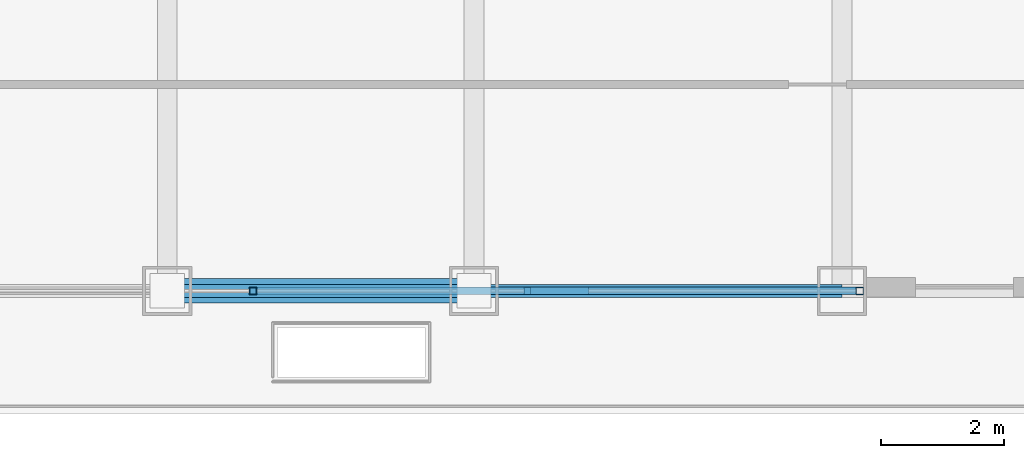
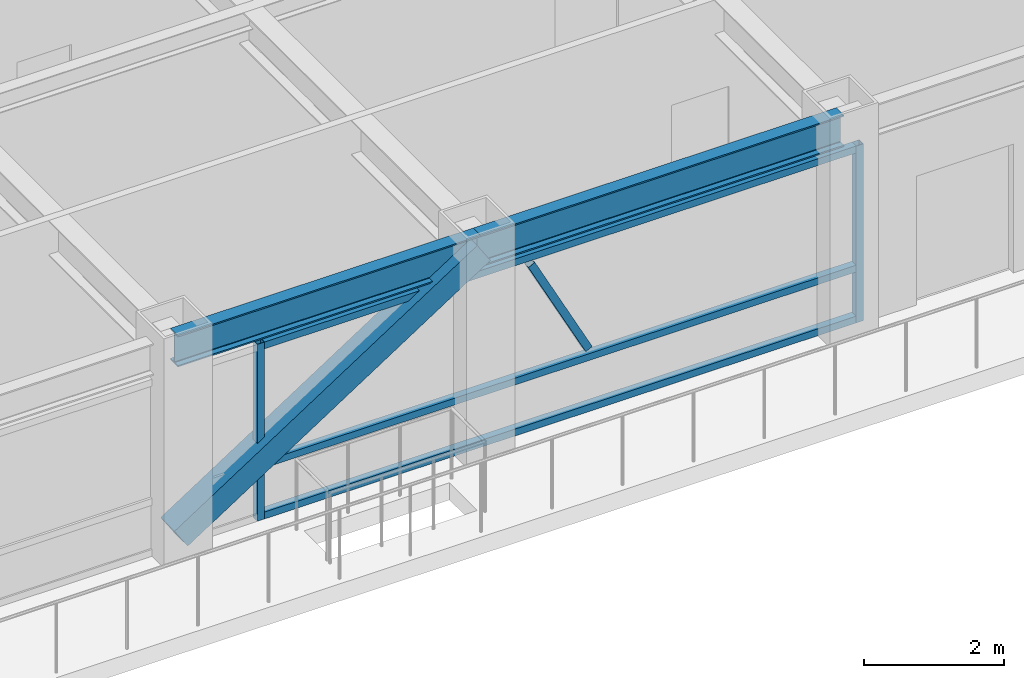
# One storey, part 4 of 30: 7 members, 2 beams, 1 element without a shape of its own.
"""IFC4 building model written with IfcOpenShell, lengths in metres."""

from ifc_helpers import new_model, si_unit, direction, frame, origin, origin_2d, place, context, subcontext, project, spatial, hollow_rectangle, i_section, extrude, source, transform, mapped, material, material_profile, profile_set, type_object, element, aggregate, save


model = new_model("IFC4")

# Units and contexts
model_context = context("Model", 3, precision=1e-05, world=origin(), true_north=direction((0.0, 1.0)))
body_context = subcontext(model_context, "Body", "Model", "MODEL_VIEW")
ifc_project = project(units=[si_unit("LENGTHUNIT", "METRE"), si_unit("AREAUNIT", "SQUARE_METRE"), si_unit("VOLUMEUNIT", "CUBIC_METRE"), si_unit("PLANEANGLEUNIT", "RADIAN"), si_unit("MASSUNIT", "GRAM", prefix="KILO")], contexts=[model_context])

# Site, building, storey
site_placement = place(None, origin())
site = spatial("IfcSite", under=ifc_project, at=site_placement, CompositionType="ELEMENT")
building_placement = place(site_placement, origin())
building = spatial("IfcBuilding", under=site, at=building_placement, Name="Khorayat Bourse Tower", CompositionType="ELEMENT")
storey_placement = place(building_placement, frame((0.0, 0.0, 326.300048828125)))
storey = spatial("IfcBuildingStorey", under=building, at=storey_placement, Name="L77", CompositionType="ELEMENT", Elevation=326.300048828125)

# Beams
ifc_material_1 = material(Name="Steel ASTM A992 Grade 50", Category="steel")
ifc_material_profile_1 = material_profile(ifc_material_1, i_section(OverallWidth=0.214111328125, OverallDepth=0.549072265625, WebThickness=0.0146484375, FlangeThickness=0.023681640625, FilletRadius=0.013916015625, at=origin_2d()), Name="W530X138")
ifc_profile_set_1 = profile_set([ifc_material_profile_1], Name="Steel ASTM A992 Grade 50")
beam_type = type_object("IfcBeamType", Name="BM-SPAN-530", PredefinedType="SPANDREL", material=ifc_profile_set_1)
shared_shape_1 = source(origin(), body_context, "Body", "SweptSolid", [
    extrude(i_section(OverallWidth=0.214111328125, OverallDepth=0.549072265625, WebThickness=0.0146484375, FlangeThickness=0.023681640625, FilletRadius=0.013916015625, at=origin_2d()), origin(), (0.0, 0.0, 1.0), 5.0),
])
beam_1_placement = place(storey_placement, frame((-11.0, -26.0, 3.46533203125), z_axis=(1.0, 0.0, 0.0), x_axis=(0.0, 1.0, 0.0)))
element("IfcBeam", 1, at=beam_1_placement, inside=storey, type_object=beam_type, Name="L77 BM-SPAN-530 BM-L77-SPN-025", PredefinedType="SPANDREL", context=body_context, shape_type="MappedRepresentation", body=[
    mapped(shared_shape_1, transform((0.0, 0.0, 0.0), scale=1.0)),
])
shared_shape_2 = source(origin(), body_context, "Body", "SweptSolid", [
    extrude(i_section(OverallWidth=0.214111328125, OverallDepth=0.549072265625, WebThickness=0.0146484375, FlangeThickness=0.023681640625, FilletRadius=0.013916015625, at=origin_2d()), origin(), (0.0, 0.0, 1.0), 6.0),
])
beam_2_placement = place(storey_placement, frame((-6.0, -26.0, 3.46533203125), z_axis=(1.0, 0.0, 0.0), x_axis=(0.0, 1.0, 0.0)))
element("IfcBeam", 2, at=beam_2_placement, inside=storey, type_object=beam_type, Name="L77 BM-SPAN-530 BM-L77-SPN-026", PredefinedType="SPANDREL", context=body_context, shape_type="MappedRepresentation", body=[
    mapped(shared_shape_2, transform((0.0, 0.0, 0.0), scale=1.0)),
])

# Member
ifc_material_2 = material(Name="Steel EN 10025-4 S460M", Category="steel")
ifc_material_profile_2 = material_profile(ifc_material_2, hollow_rectangle(XDim=0.39990234375, YDim=0.39990234375, WallThickness=0.02197265625, at=origin_2d()), Name="HSS 400x400x22")
ifc_profile_set_2 = profile_set([ifc_material_profile_2], Name="Steel EN 10025-4 S460M")
member_type_1 = type_object("IfcMemberType", Name="MBR-TUBE-400", PredefinedType="BRACE", material=ifc_profile_set_2)
shared_shape_3 = source(origin(), body_context, "Body", "SweptSolid", [
    extrude(hollow_rectangle(XDim=0.39990234375, YDim=0.39990234375, WallThickness=0.02197265625, at=origin_2d()), origin(), (0.0, 0.0, 1.0), 5.9580078125),
])
member_1_placement = place(storey_placement, frame((-11.0, -26.0, 0.25), z_axis=(0.839210474455, 0.0, 0.543806748364), x_axis=(0.0, 1.0, 0.0)))
element("IfcMember", 3, at=member_1_placement, inside=storey, type_object=member_type_1, Name="L77 Perimeter Tube Brace 01", PredefinedType="BRACE", context=body_context, shape_type="MappedRepresentation", body=[
    mapped(shared_shape_3, transform((0.0, 0.0, 0.0), scale=1.0)),
])

# Curtain wall, members
ifc_material_3 = material(Name="Aluminium EN AW-6063 T6", Category="aluminium")
curtain_wall_type = type_object("IfcCurtainWallType", Name="CW-SYS-04", PredefinedType="NOTDEFINED", material=ifc_material_3)
curtain_wall_placement = place(storey_placement, origin())
curtain_wall = element("IfcCurtainWall", 4, at=curtain_wall_placement, inside=storey, type_object=curtain_wall_type, Name="L77 Curtain Wall CW-L77-S1", PredefinedType="NOTDEFINED")
ifc_material_profile_3 = material_profile(ifc_material_3, hollow_rectangle(XDim=0.1201171875, YDim=0.1201171875, WallThickness=0.0048828125, at=origin_2d()), Name="ALU 120x120x5")
ifc_profile_set_3 = profile_set([ifc_material_profile_3], Name="Aluminium EN AW-6063 T6")
member_type_2 = type_object("IfcMemberType", Name="CWM-VERT-120", PredefinedType="MULLION", material=ifc_profile_set_3)
shared_shape_4 = source(origin(), body_context, "Body", "SweptSolid", [
    extrude(hollow_rectangle(XDim=0.1201171875, YDim=0.1201171875, WallThickness=0.0048828125, at=origin_2d()), origin(), (0.0, 0.0, 1.0), 3.08984375),
])
member_2_placement = place(storey_placement, frame((-9.60009765625, -26.0, 0.0), z_axis=(0.0, 0.0, 1.0), x_axis=(0.0, 1.0, 0.0)))
member_2 = element("IfcMember", 5, at=member_2_placement, type_object=member_type_2, Name="CW-L77-S1 Vertical Mullion 2", PredefinedType="MULLION", context=body_context, shape_type="MappedRepresentation", body=[
    mapped(shared_shape_4, transform((0.0, 0.0, 0.0), scale=1.0)),
])
member_3_placement = place(storey_placement, frame((0.2900390625, -26.0, 0.0), z_axis=(0.0, 0.0, 1.0), x_axis=(0.0, 1.0, 0.0)))
member_3 = element("IfcMember", 6, at=member_3_placement, type_object=member_type_2, Name="CW-L77-S1 Vertical Mullion 3", PredefinedType="MULLION", context=body_context, shape_type="MappedRepresentation", body=[
    mapped(shared_shape_4, transform((0.0, 0.0, 0.0), scale=1.0)),
])
ifc_material_profile_4 = material_profile(ifc_material_3, hollow_rectangle(XDim=0.1201171875, YDim=0.1201171875, WallThickness=0.0048828125, at=origin_2d()), Name="ALU 120x120x5")
ifc_profile_set_4 = profile_set([ifc_material_profile_4], Name="Aluminium EN AW-6063 T6")
member_type_3 = type_object("IfcMemberType", Name="CWT-HORZ-120", PredefinedType="USERDEFINED", material=ifc_profile_set_4)
shared_shape_5 = source(origin(), body_context, "Body", "SweptSolid", [
    extrude(hollow_rectangle(XDim=0.1201171875, YDim=0.1201171875, WallThickness=0.0048828125, at=origin_2d()), origin(), (0.0, 0.0, 1.0), 9.77001953125),
])
member_4_placement = place(storey_placement, frame((-9.5400390625, -26.0, 0.06005859375), z_axis=(1.0, 0.0, 0.0), x_axis=(0.0, 1.0, 0.0)))
member_4 = element("IfcMember", 7, at=member_4_placement, type_object=member_type_3, Name="CW-L77-S1 Horizontal Transom 2-1", ObjectType="TRANSOM", PredefinedType="USERDEFINED", context=body_context, shape_type="MappedRepresentation", body=[
    mapped(shared_shape_5, transform((0.0, 0.0, 0.0), scale=1.0)),
])
member_5_placement = place(storey_placement, frame((-9.5400390625, -26.0, 0.949951171875), z_axis=(1.0, 0.0, 0.0), x_axis=(0.0, 1.0, 0.0)))
member_5 = element("IfcMember", 8, at=member_5_placement, type_object=member_type_3, Name="CW-L77-S1 Horizontal Transom 2-2", ObjectType="TRANSOM", PredefinedType="USERDEFINED", context=body_context, shape_type="MappedRepresentation", body=[
    mapped(shared_shape_5, transform((0.0, 0.0, 0.0), scale=1.0)),
])
member_6_placement = place(storey_placement, frame((-9.5400390625, -26.0, 3.030029296875), z_axis=(1.0, 0.0, 0.0), x_axis=(0.0, 1.0, 0.0)))
member_6 = element("IfcMember", 9, at=member_6_placement, type_object=member_type_3, Name="CW-L77-S1 Horizontal Transom 2-3", ObjectType="TRANSOM", PredefinedType="USERDEFINED", context=body_context, shape_type="MappedRepresentation", body=[
    mapped(shared_shape_5, transform((0.0, 0.0, 0.0), scale=1.0)),
])
ifc_material_profile_5 = material_profile(ifc_material_3, hollow_rectangle(XDim=0.1201171875, YDim=0.1201171875, WallThickness=0.0048828125, at=origin_2d()), Name="ALU 120x120x5")
ifc_profile_set_5 = profile_set([ifc_material_profile_5], Name="Aluminium EN AW-6063 T6")
member_type_4 = type_object("IfcMemberType", Name="CWM-DIAG-120", PredefinedType="MULLION", material=ifc_profile_set_5)
shared_shape_6 = source(origin(), body_context, "Body", "SweptSolid", [
    extrude(hollow_rectangle(XDim=0.1201171875, YDim=0.1201171875, WallThickness=0.0048828125, at=origin_2d()), origin(), (0.0, 0.0, 1.0), 2.0341796875),
])
member_7_placement = place(storey_placement, frame((-4.181396484375, -26.0, 1.08984375), z_axis=(-0.465696964104, 0.0, 0.884944256789), x_axis=(0.0, -1.0, 0.0)))
member_7 = element("IfcMember", 10, at=member_7_placement, type_object=member_type_4, Name="CW-L77-S1 Faceted Diagonal Mullion 2", PredefinedType="MULLION", context=body_context, shape_type="MappedRepresentation", body=[
    mapped(shared_shape_6, transform((0.0, 0.0, 0.0), scale=1.0)),
])
aggregate(curtain_wall, [member_2, member_3, member_4, member_5, member_6, member_7])

save(model, "model.ifc")
